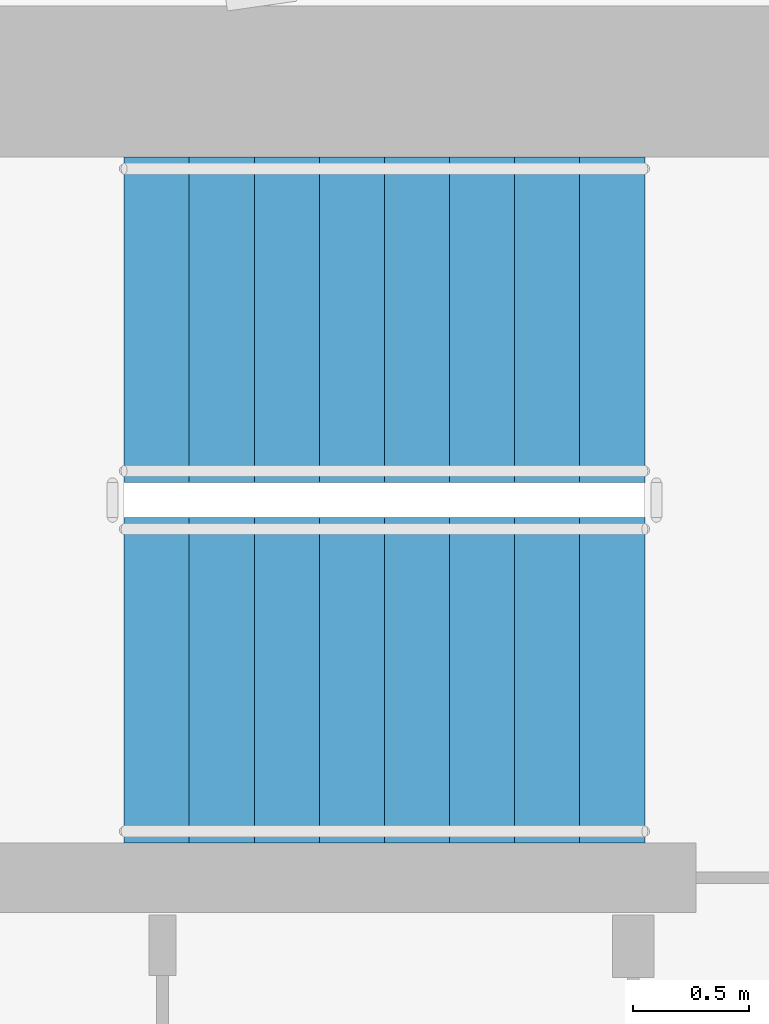
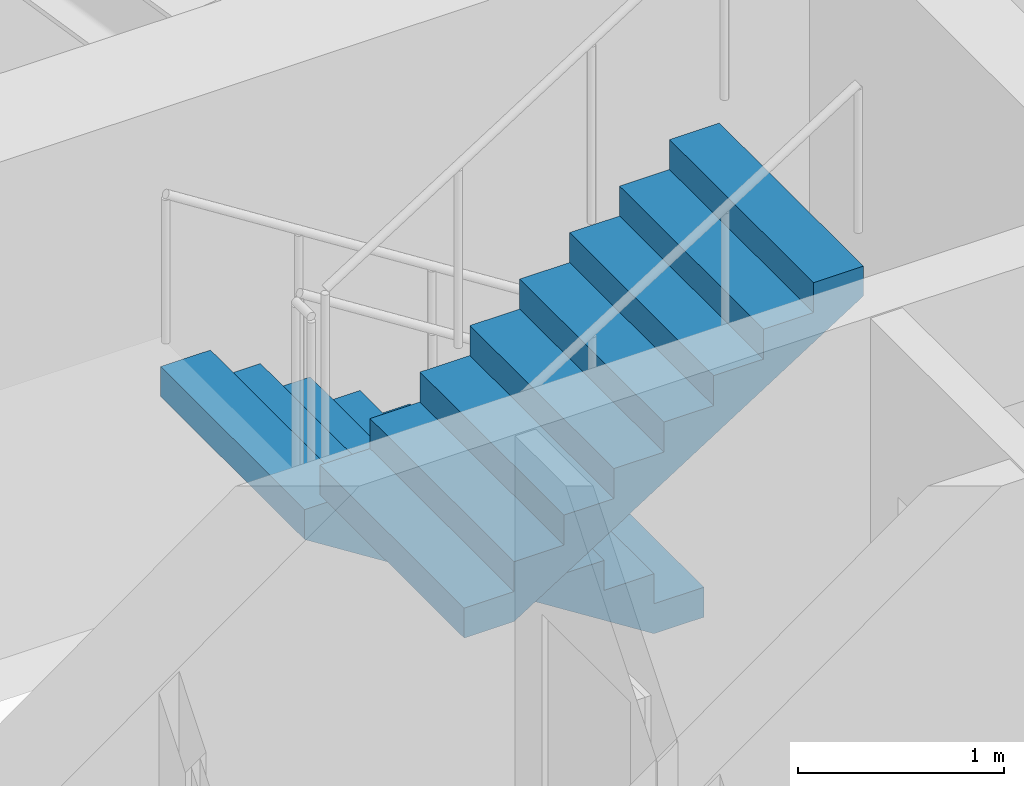
# One storey, part 9 of 14: 2 stair flights, 1 element without a shape of its own.
"""IFC4 building model written with IfcOpenShell, lengths in metres."""

from ifc_helpers import new_model, si_unit, direction, frame, origin, place, context, subcontext, project, spatial, polyline, outline, extrude, source, transform, mapped, material, type_object, element, aggregate, save


model = new_model("IFC4")

# Units and contexts
model_context = context("Model", 3, precision=1e-05, world=origin(), true_north=direction((0.0, 1.0)))
body_context = subcontext(model_context, "Body", "Model", "MODEL_VIEW")
ifc_project = project(units=[si_unit("LENGTHUNIT", "METRE"), si_unit("AREAUNIT", "SQUARE_METRE"), si_unit("VOLUMEUNIT", "CUBIC_METRE"), si_unit("PLANEANGLEUNIT", "RADIAN"), si_unit("MASSUNIT", "GRAM", prefix="KILO")], contexts=[model_context])

# Site, building, storey
site_placement = place(None, origin())
site = spatial("IfcSite", under=ifc_project, at=site_placement, CompositionType="ELEMENT")
building_placement = place(site_placement, origin())
building = spatial("IfcBuilding", under=site, at=building_placement, Name="Qafzar Sky-Pleat Residences", CompositionType="ELEMENT")
storey_placement = place(building_placement, frame((0.0, 0.0, 118.39990234375)))
storey = spatial("IfcBuildingStorey", under=building, at=storey_placement, Name="L35", CompositionType="ELEMENT", Elevation=118.39990234375)

# Stair, stair flights
ifc_material = material(Name="Concrete C40/50", Category="concrete")
stair_type = type_object("IfcStairType", Name="STAIR-H320", PredefinedType="HALF_TURN_STAIR", material=ifc_material)
stair_placement = place(storey_placement, origin())
stair = element("IfcStair", 1, at=stair_placement, inside=storey, type_object=stair_type, Name="L35 Protected Exit Stair ST2", PredefinedType="HALF_TURN_STAIR")
stair_flight_type = type_object("IfcStairFlightType", Name="FLIGHT-H320", PredefinedType="STRAIGHT", material=ifc_material)
shared_shape = source(origin(), body_context, "Body", "SweptSolid", [
    extrude(outline(polyline([(0.0, 0.0), (0.0, 0.177734375), (0.280029296875, 0.177734375), (0.280029296875, 0.35546875), (0.56005859375, 0.35546875), (0.56005859375, 0.533447265625), (0.840087890625, 0.533447265625), (0.840087890625, 0.711181640625), (1.1201171875, 0.711181640625), (1.1201171875, 0.888916015625), (1.39990234375, 0.888916015625), (1.39990234375, 1.066650390625), (1.679931640625, 1.066650390625), (1.679931640625, 1.244384765625), (1.9599609375, 1.244384765625), (1.9599609375, 1.422119140625), (2.239990234375, 1.422119140625), (2.239990234375, 1.60009765625), (2.239990234375, 1.24462890625), (0.27978515625, 0.0), (0.0, 0.0)])), frame((0.0, 0.699951171875, 0.0), z_axis=(0.0, -1.0, 0.0), x_axis=(1.0, 0.0, 0.0)), (0.0, 0.0, 1.0), 1.39990234375),
])
stair_flight_1_placement = place(storey_placement, frame((30.800048828125, 33.10009765625, 0.0), z_axis=(0.0, 0.0, 1.0), x_axis=(-1.0, 0.0, 0.0)))
stair_flight_1 = element("IfcStairFlight", 2, at=stair_flight_1_placement, type_object=stair_flight_type, Name="ST2 flight 1", NumberOfRisers=9, NumberOfTreads=8, PredefinedType="STRAIGHT", RiserHeight=0.177777778, TreadLength=0.28, context=body_context, shape_type="MappedRepresentation", body=[
    mapped(shared_shape, transform((0.0, 0.0, 0.0), x_axis=(1.0, 0.0, 0.0), y_axis=(0.0, 1.0, 0.0), z_axis=(0.0, 0.0, 1.0), scale=1.0)),
])
stair_flight_2_placement = place(storey_placement, frame((28.56005859375, 31.550048828125, 1.60009765625), z_axis=(0.0, 0.0, 1.0), x_axis=(1.0, 0.0, 0.0)))
stair_flight_2 = element("IfcStairFlight", 3, at=stair_flight_2_placement, type_object=stair_flight_type, Name="ST2 flight 2", NumberOfRisers=9, NumberOfTreads=8, PredefinedType="STRAIGHT", RiserHeight=0.177777778, TreadLength=0.28, context=body_context, shape_type="MappedRepresentation", body=[
    mapped(shared_shape, transform((0.0, 0.0, 0.0), x_axis=(1.0, 0.0, 0.0), y_axis=(0.0, 1.0, 0.0), z_axis=(0.0, 0.0, 1.0), scale=1.0)),
])
aggregate(stair, [stair_flight_1, stair_flight_2])

save(model, "model.ifc")
